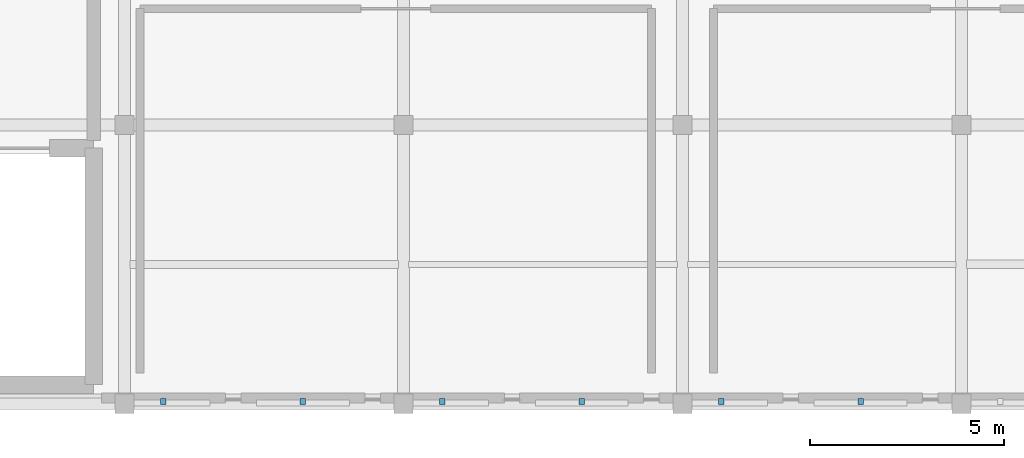
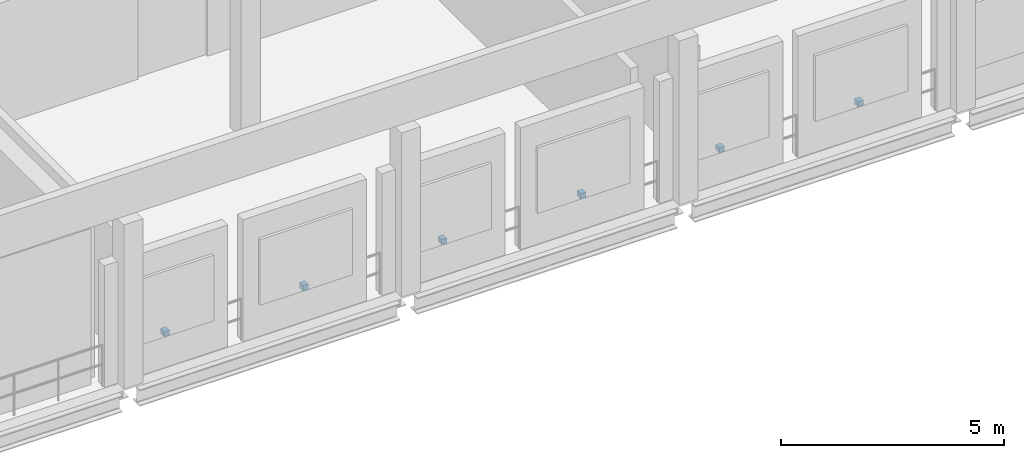
# One storey, part 51 of 64: 6 discrete accessories.
"""IFC4 building model written with IfcOpenShell, lengths in metres."""

from ifc_helpers import new_model, si_unit, direction, frame, origin, origin_2d, place, context, subcontext, project, spatial, rectangle, extrude, material, type_object, element, save


model = new_model("IFC4")

# Units and contexts
model_context = context("Model", 3, precision=1e-05, world=origin(), true_north=direction((0.0, 1.0)))
body_context = subcontext(model_context, "Body", "Model", "MODEL_VIEW")
ifc_project = project(units=[si_unit("LENGTHUNIT", "METRE"), si_unit("AREAUNIT", "SQUARE_METRE"), si_unit("VOLUMEUNIT", "CUBIC_METRE"), si_unit("PLANEANGLEUNIT", "RADIAN"), si_unit("MASSUNIT", "GRAM", prefix="KILO")], contexts=[model_context])

# Site, building, storey
site_placement = place(None, origin())
site = spatial("IfcSite", under=ifc_project, at=site_placement, CompositionType="ELEMENT")
building_placement = place(site_placement, origin())
building = spatial("IfcBuilding", under=site, at=building_placement, Name="Qandorah Velis Arena", CompositionType="ELEMENT")
storey_placement = place(building_placement, frame((0.0, 0.0, 23.0)))
storey = spatial("IfcBuildingStorey", under=building, at=storey_placement, Name="L05", CompositionType="ELEMENT", Elevation=23.0)

# Discrete accessories
ifc_material = material(Name="Stainless steel 316", Category="steel")
discrete_accessory_type = type_object("IfcDiscreteAccessoryType", Name="ARC-ACC-BRK", PredefinedType="BRACKET", material=ifc_material)
for number, where, z_axis, x_axis, name in (
    (1, (44.199951171875, 0.06005859375, 0.8798828125), (0.0, 0.0, 1.0), (1.0, 0.0, 0.0), "Acoustic louvre mounting bracket LBRK-01"),
    (2, (47.800048828125, 0.06005859375, 0.8798828125), (0.0, 0.0, 1.0), (1.0, 0.0, 0.0), "Acoustic louvre mounting bracket LBRK-02"),
    (3, (51.39990234375, 0.06005859375, 0.8798828125), (0.0, 0.0, 1.0), (1.0, 0.0, 0.0), "Acoustic louvre mounting bracket LBRK-03"),
    (4, (55.0, 0.06005859375, 0.8798828125), (0.0, 0.0, 1.0), (1.0, 0.0, 0.0), "Acoustic louvre mounting bracket LBRK-04"),
    (5, (58.60009765625, 0.06005859375, 0.8798828125), (0.0, 0.0, 1.0), (1.0, 0.0, 0.0), "Acoustic louvre mounting bracket LBRK-05"),
    (6, (62.199951171875, 0.06005859375, 0.8798828125), (0.0, 0.0, 1.0), (1.0, 0.0, 0.0), "Acoustic louvre mounting bracket LBRK-06"),
):
    element("IfcDiscreteAccessory", number, at=place(storey_placement, frame(where, z_axis=z_axis, x_axis=x_axis)), inside=storey, type_object=discrete_accessory_type, Name=name, PredefinedType="BRACKET", context=body_context, shape_type="SweptSolid", body=[
        extrude(rectangle(XDim=0.139892578125, YDim=0.159912109375, at=origin_2d()), origin(), (0.0, 0.0, 1.0), 0.139892578125),
    ])

save(model, "model.ifc")
